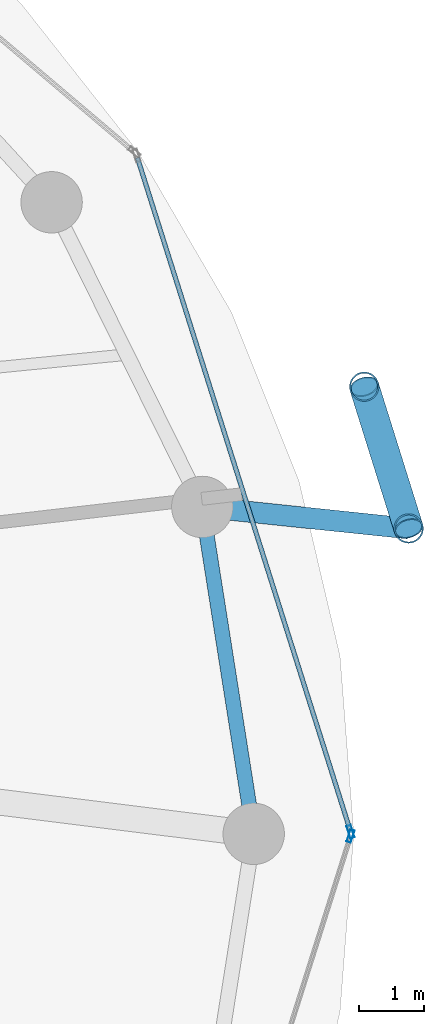
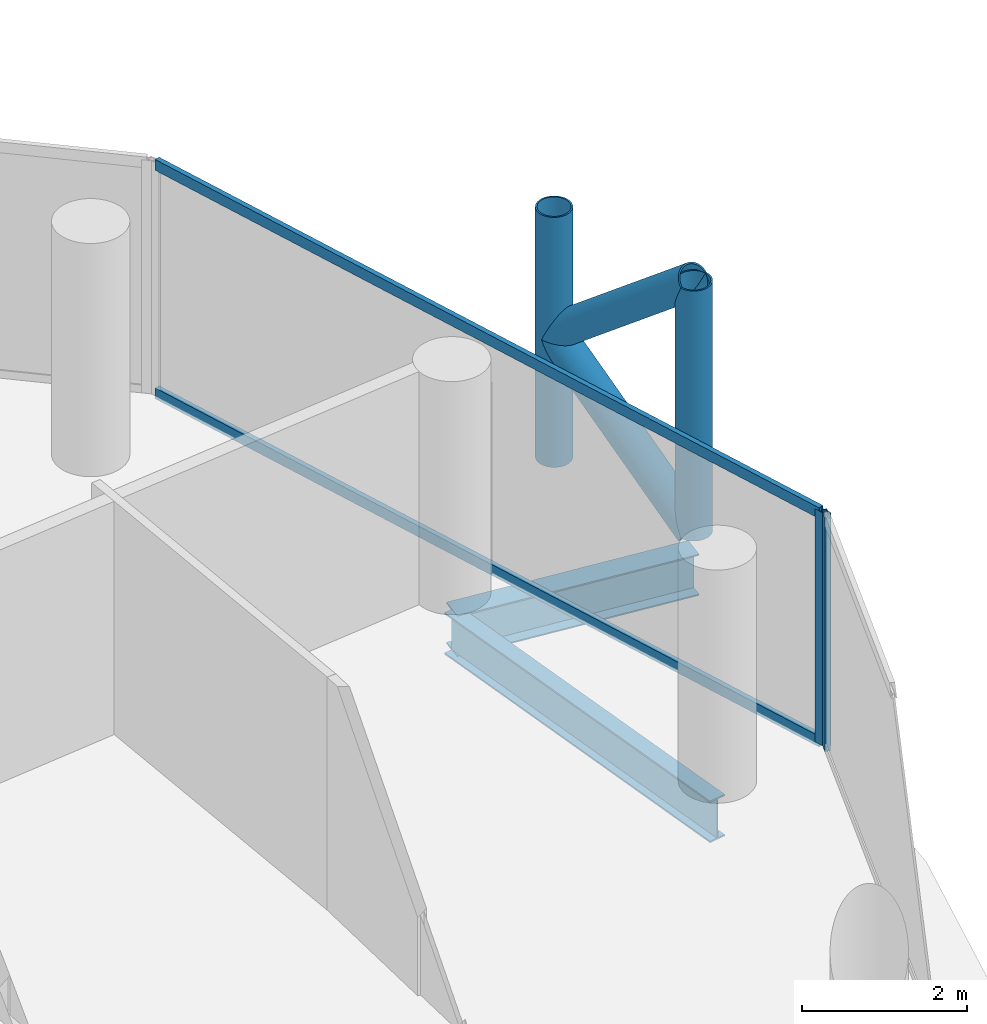
# One storey, part 12 of 26: 8 members, 2 beams, 2 elements without a shape of their own.
"""IFC4 building model written with IfcOpenShell, lengths in metres."""

from ifc_helpers import new_model, si_unit, direction, frame, origin, origin_2d, place, context, subcontext, project, spatial, hollow_rectangle, hollow_circle, i_section, extrude, material, layer, layer_set, material_profile, profile_set, type_object, element, aggregate, save


model = new_model("IFC4")

# Units and contexts
model_context = context("Model", 3, precision=1e-05, world=origin(), true_north=direction((0.0, 1.0)))
body_context = subcontext(model_context, "Body", "Model", "MODEL_VIEW")
ifc_project = project(units=[si_unit("LENGTHUNIT", "METRE"), si_unit("AREAUNIT", "SQUARE_METRE"), si_unit("VOLUMEUNIT", "CUBIC_METRE"), si_unit("PLANEANGLEUNIT", "RADIAN"), si_unit("MASSUNIT", "GRAM", prefix="KILO")], contexts=[model_context])

# Site, building, storey
site_placement = place(None, origin())
site = spatial("IfcSite", under=ifc_project, at=site_placement, CompositionType="ELEMENT")
building_placement = place(site_placement, origin())
building = spatial("IfcBuilding", under=site, at=building_placement, Name="Nuhasar Tower", CompositionType="ELEMENT")
storey_placement = place(building_placement, frame((0.0, 0.0, 136.75)))
storey = spatial("IfcBuildingStorey", under=building, at=storey_placement, Name="L32", CompositionType="ELEMENT", Elevation=136.75)

# Beams
ifc_material_1 = material(Name="Steel S355", Category="steel")
ifc_material_profile_1 = material_profile(ifc_material_1, i_section(OverallWidth=0.22998046875, OverallDepth=0.616943359375, WebThickness=0.01318359375, FlangeThickness=0.022216796875, at=origin_2d()), Name="W24X94")
ifc_profile_set_1 = profile_set([ifc_material_profile_1], Name="Steel S355")
beam_type_1 = type_object("IfcBeamType", Name="BM-RING-W24X94", PredefinedType="SPANDREL", material=ifc_profile_set_1)
beam_1_placement = place(storey_placement, frame((62.35009765625, 26.800048828125, -0.55908203125), z_axis=(-0.155426543608, 0.987847452566, 0.0), x_axis=(-0.987847452566, -0.155426543608, 0.0)))
element("IfcBeam", 1, at=beam_1_placement, inside=storey, type_object=beam_type_1, Name="L32 Perimeter Ring Spandrel 01", PredefinedType="SPANDREL", context=body_context, shape_type="SweptSolid", body=[
    extrude(i_section(OverallWidth=0.22998046875, OverallDepth=0.616943359375, WebThickness=0.01318359375, FlangeThickness=0.022216796875, at=origin_2d()), origin(), (0.0, 0.0, 1.0), 5.122314453125),
])
ifc_material_profile_2 = material_profile(ifc_material_1, i_section(OverallWidth=0.323974609375, OverallDepth=0.611083984375, WebThickness=0.0126953125, FlangeThickness=0.01904296875, at=origin_2d()), Name="W24X104")
ifc_profile_set_2 = profile_set([ifc_material_profile_2], Name="Steel S355")
beam_type_2 = type_object("IfcBeamType", Name="BM-TIE-W24X104", PredefinedType="BEAM", material=ifc_profile_set_2)
beam_2_placement = place(storey_placement, frame((61.553955078125, 31.860107421875, -0.554931640625), z_axis=(0.994569828715, -0.104071397654, 0.0), x_axis=(0.104071397654, 0.994569828715, 0.0)))
element("IfcBeam", 2, at=beam_2_placement, inside=storey, type_object=beam_type_2, Name="L32 Exoskeleton Node Tie Beam 01", PredefinedType="BEAM", context=body_context, shape_type="SweptSolid", body=[
    extrude(i_section(OverallWidth=0.323974609375, OverallDepth=0.611083984375, WebThickness=0.0126953125, FlangeThickness=0.01904296875, at=origin_2d()), origin(), (0.0, 0.0, 1.0), 3.21142578125),
])

# Curtain wall, member
ifc_material_2 = material(Name="Aluminium 6063-T6", Category="aluminium")
ifc_layer = layer(ifc_material_2, 0.199951171875)
ifc_layer_set = layer_set([ifc_layer], Name="Aluminium 6063-T6")
curtain_wall_type = type_object("IfcCurtainWallType", Name="CW-Z2-HTL", PredefinedType="NOTDEFINED", material=ifc_layer_set)
curtain_wall_1_placement = place(storey_placement, origin())
curtain_wall_1 = element("IfcCurtainWall", 3, at=curtain_wall_1_placement, inside=storey, type_object=curtain_wall_type, Name="L32 Unitised Curtain Wall 01", PredefinedType="NOTDEFINED")
ifc_material_profile_3 = material_profile(ifc_material_2, hollow_rectangle(XDim=0.070068359375, YDim=0.199951171875, WallThickness=0.0048828125, at=origin_2d()), Name="CWM-3")
ifc_profile_set_3 = profile_set([ifc_material_profile_3], Name="Aluminium 6063-T6")
member_type_1 = type_object("IfcMemberType", Name="CW-MUL-S3", PredefinedType="MULLION", material=ifc_profile_set_3)
member_1_placement = place(storey_placement, frame((63.849365234375, 26.833251953125, 0.0), z_axis=(0.0, 0.0, 1.0), x_axis=(-0.953433389233, -0.301603667577, 0.0)))
member_1 = element("IfcMember", 4, at=member_1_placement, type_object=member_type_1, Name="CW-Z2 mullion 1", PredefinedType="MULLION", context=body_context, shape_type="SweptSolid", body=[
    extrude(hollow_rectangle(XDim=0.070068359375, YDim=0.199951171875, WallThickness=0.0048828125, at=origin_2d()), origin(), (0.0, 0.0, 1.0), 3.449951171875),
])

curtain_wall_2_placement = place(storey_placement, origin())
curtain_wall_2 = element("IfcCurtainWall", 5, at=curtain_wall_2_placement, inside=storey, type_object=curtain_wall_type, Name="L32 Unitised Curtain Wall 12", PredefinedType="NOTDEFINED")
member_2_placement = place(storey_placement, frame((63.849365234375, 26.7666015625, 0.0), z_axis=(0.0, 0.0, 1.0), x_axis=(-0.953433389233, 0.301603667577, 0.0)))
member_2 = element("IfcMember", 6, at=member_2_placement, type_object=member_type_1, Name="CW-Z2 mullion 2", PredefinedType="MULLION", context=body_context, shape_type="SweptSolid", body=[
    extrude(hollow_rectangle(XDim=0.070068359375, YDim=0.199951171875, WallThickness=0.0048828125, at=origin_2d()), origin(), (0.0, 0.0, 1.0), 3.449951171875),
])
aggregate(curtain_wall_2, [member_2])

# Member
ifc_material_profile_4 = material_profile(ifc_material_2, hollow_rectangle(XDim=0.070068359375, YDim=0.159912109375, WallThickness=0.00439453125, at=origin_2d()), Name="CWT-3")
ifc_profile_set_4 = profile_set([ifc_material_profile_4], Name="Aluminium 6063-T6")
member_type_2 = type_object("IfcMemberType", Name="CW-TRN-S3", PredefinedType="USERDEFINED", material=ifc_profile_set_4)
member_3_placement = place(storey_placement, frame((63.8388671875, 26.86669921875, 0.034912109375), z_axis=(-0.301608163352, 0.953431967053, 0.0), x_axis=(-0.953431967053, -0.301608163352, 0.0)))
member_3 = element("IfcMember", 7, at=member_3_placement, type_object=member_type_2, Name="CW-Z2 transom 1.1", ObjectType="TRANSOM", PredefinedType="USERDEFINED", context=body_context, shape_type="SweptSolid", body=[
    extrude(hollow_rectangle(XDim=0.070068359375, YDim=0.159912109375, WallThickness=0.00439453125, at=origin_2d()), origin(), (0.0, 0.0, 1.0), 10.904296875),
])

member_4_placement = place(storey_placement, frame((63.8388671875, 26.86669921875, 3.4150390625), z_axis=(-0.301608163352, 0.953431967053, 0.0), x_axis=(-0.953431967053, -0.301608163352, 0.0)))
member_4 = element("IfcMember", 8, at=member_4_placement, type_object=member_type_2, Name="CW-Z2 transom 1.2", ObjectType="TRANSOM", PredefinedType="USERDEFINED", context=body_context, shape_type="SweptSolid", body=[
    extrude(hollow_rectangle(XDim=0.070068359375, YDim=0.159912109375, WallThickness=0.00439453125, at=origin_2d()), origin(), (0.0, 0.0, 1.0), 10.904296875),
])

aggregate(curtain_wall_1, [member_1, member_3, member_4])

# Members
ifc_material_3 = material(Name="Steel S460", Category="steel")
ifc_material_profile_5 = material_profile(ifc_material_3, hollow_circle(Radius=0.228515625, WallThickness=0.022216796875, at=origin_2d()), Name="HSS457X22.2")
ifc_profile_set_5 = profile_set([ifc_material_profile_5], Name="Steel S460")
member_type_3 = type_object("IfcMemberType", Name="EXO-BRONZE-457", PredefinedType="BRACE", material=ifc_profile_set_5)
for number, where, z_axis, x_axis, name in (
    (9, (64.748046875, 31.52587890625, 0.0), (0.0, 0.0, 1.0), (1.0, 0.0, 0.0), "L32 Exoskeleton Chord Column EC-01A"),
    (10, (64.06005859375, 33.720947265625, 0.0), (0.0, 0.0, 1.0), (1.0, 0.0, 0.0), "L32 Exoskeleton Chord Column EC-01B"),
):
    element("IfcMember", number, at=place(storey_placement, frame(where, z_axis=z_axis, x_axis=x_axis)), inside=storey, type_object=member_type_3, Name=name, PredefinedType="BRACE", context=body_context, shape_type="SweptSolid", body=[
        extrude(hollow_circle(Radius=0.228515625, WallThickness=0.022216796875, at=origin_2d()), origin(), (0.0, 0.0, 1.0), 3.699951171875),
    ])
member_5_placement = place(storey_placement, frame((64.748046875, 31.52587890625, 0.0), z_axis=(-0.233055548538, 0.743577869731, 0.626719285599), x_axis=(-0.954228474306, -0.29907861646, 0.0)))
element("IfcMember", 11, at=member_5_placement, inside=storey, type_object=member_type_3, Name="L32 Bronze Diagrid Brace W1-01", PredefinedType="BRACE", context=body_context, shape_type="SweptSolid", body=[
    extrude(hollow_circle(Radius=0.228515625, WallThickness=0.022216796875, at=origin_2d()), origin(), (0.0, 0.0, 1.0), 2.9521484375),
])
member_6_placement = place(storey_placement, frame((64.06005859375, 33.720947265625, 1.85009765625), z_axis=(0.233067628236, -0.74361641074, 0.626669062861), x_axis=(0.954228474306, 0.29907861646, 0.0)))
element("IfcMember", 12, at=member_6_placement, inside=storey, type_object=member_type_3, Name="L32 Bronze Diagrid Brace W2-01", PredefinedType="BRACE", context=body_context, shape_type="SweptSolid", body=[
    extrude(hollow_circle(Radius=0.228515625, WallThickness=0.022216796875, at=origin_2d()), origin(), (0.0, 0.0, 1.0), 2.951904296875),
])

save(model, "model.ifc")
